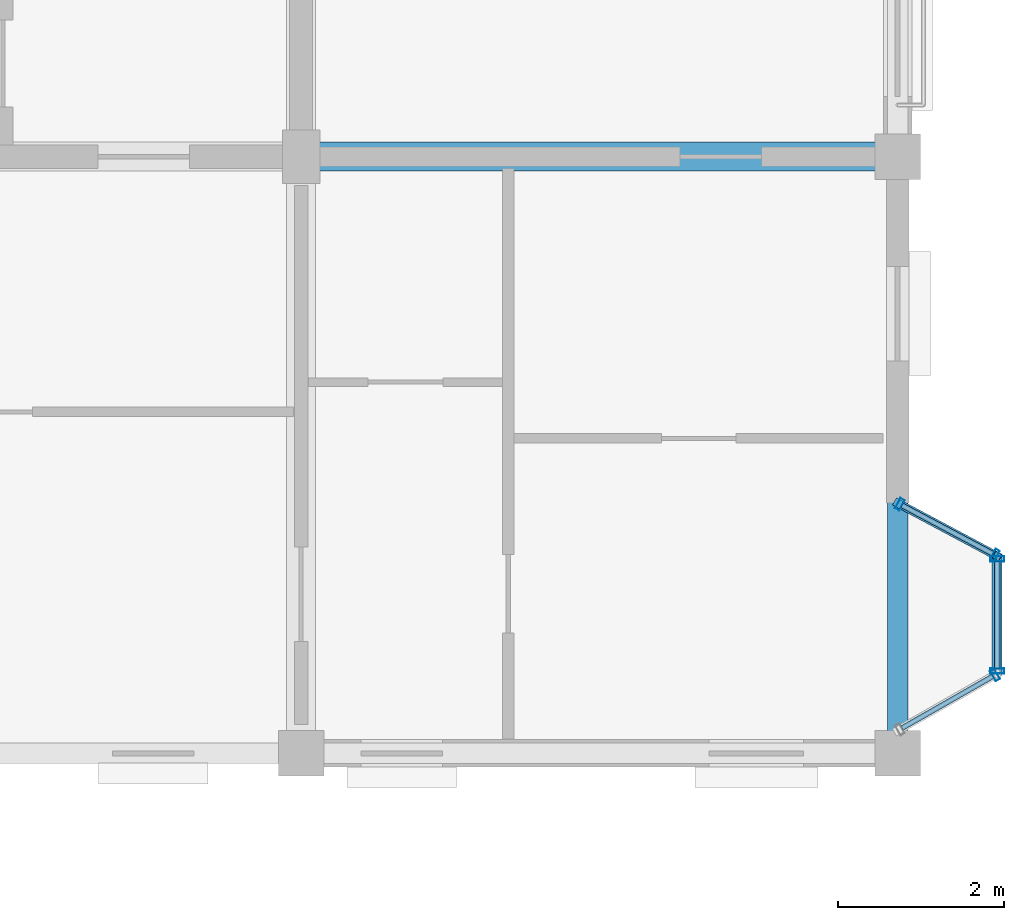
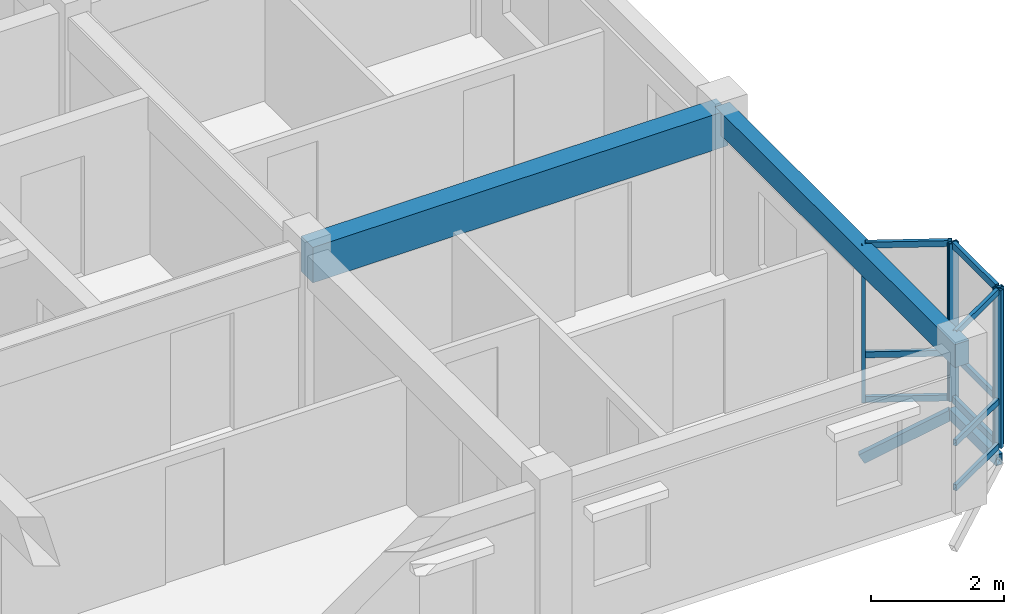
# One storey, part 25 of 79: 16 members, 2 beams, 3 elements without a shape of their own.
"""IFC4 building model written with IfcOpenShell, lengths in metres."""

from ifc_helpers import new_model, si_unit, direction, frame, origin, origin_2d, place, context, subcontext, project, spatial, rectangle, hollow_rectangle, extrude, material, layer, layer_set, material_profile, profile_set, type_object, element, aggregate, save


model = new_model("IFC4")

# Units and contexts
model_context = context("Model", 3, precision=1e-05, world=origin(), true_north=direction((0.0, 1.0)))
body_context = subcontext(model_context, "Body", "Model", "MODEL_VIEW")
ifc_project = project(units=[si_unit("LENGTHUNIT", "METRE"), si_unit("AREAUNIT", "SQUARE_METRE"), si_unit("VOLUMEUNIT", "CUBIC_METRE"), si_unit("PLANEANGLEUNIT", "RADIAN"), si_unit("MASSUNIT", "GRAM", prefix="KILO"), si_unit("THERMODYNAMICTEMPERATUREUNIT", "KELVIN"), si_unit("POWERUNIT", "WATT")], contexts=[model_context])

# Site, building, storey
site_placement = place(None, origin())
site = spatial("IfcSite", under=ifc_project, at=site_placement, CompositionType="ELEMENT")
building_placement = place(site_placement, origin())
building = spatial("IfcBuilding", under=site, at=building_placement, Name="Tavuni Mirador Residences", CompositionType="ELEMENT")
storey_placement = place(building_placement, frame((0.0, 0.0, 13.949951171875)))
storey = spatial("IfcBuildingStorey", under=building, at=storey_placement, Name="L04", CompositionType="ELEMENT", Elevation=13.949951171875)

# Beams
ifc_material_1 = material(Name="Precast concrete C40/50", Category="concrete")
ifc_material_profile_1 = material_profile(ifc_material_1, rectangle(XDim=0.35009765625, YDim=0.64990234375, at=origin_2d()), Name="PC 350x650", Category="concrete")
ifc_profile_set_1 = profile_set([ifc_material_profile_1], Name="Precast concrete C40/50")
beam_type_1 = type_object("IfcBeamType", Name="BT-B650", PredefinedType="BEAM", material=ifc_profile_set_1)
beam_1_placement = place(storey_placement, frame((111.60009765625, 93.60009765625, 2.56494140625), z_axis=(1.0, 0.0, 0.0), x_axis=(0.0, 1.0, 0.0)))
element("IfcBeam", 1, at=beam_1_placement, inside=storey, type_object=beam_type_1, Name="BMX-BLK-D-L04-03-01", PredefinedType="BEAM", context=body_context, shape_type="SweptSolid", body=[
    extrude(rectangle(XDim=0.35009765625, YDim=0.64990234375, at=origin_2d()), origin(), (0.0, 0.0, 1.0), 7.199951171875),
])
ifc_material_profile_2 = material_profile(ifc_material_1, rectangle(XDim=0.25, YDim=0.419921875, at=origin_2d()), Name="PC 250x420", Category="concrete")
ifc_profile_set_2 = profile_set([ifc_material_profile_2], Name="Precast concrete C40/50")
beam_type_2 = type_object("IfcBeamType", Name="BT-SP420", PredefinedType="SPANDREL", material=ifc_profile_set_2)
beam_2_placement = place(storey_placement, frame((118.800048828125, 86.39990234375, 2.679931640625), z_axis=(0.0, 1.0, 0.0), x_axis=(-1.0, 0.0, 0.0)))
element("IfcBeam", 2, at=beam_2_placement, inside=storey, type_object=beam_type_2, Name="BMY-BLK-D-L04-04-00", PredefinedType="SPANDREL", context=body_context, shape_type="SweptSolid", body=[
    extrude(rectangle(XDim=0.25, YDim=0.419921875, at=origin_2d()), origin(), (0.0, 0.0, 1.0), 7.2001953125),
])

# Curtain wall, member
ifc_material_2 = material(Name="Anodised aluminium", Category="aluminium")
ifc_layer_1 = layer(ifc_material_2, 0.175048828125, Name="Anodised aluminium", Category="aluminium")
ifc_layer_set_1 = layer_set([ifc_layer_1], Name="Anodised aluminium")
curtain_wall_type_1 = type_object("IfcCurtainWallType", Name="CWT-MIR-C", PredefinedType="NOTDEFINED", material=ifc_layer_set_1)
curtain_wall_1_placement = place(storey_placement, origin())
curtain_wall_1 = element("IfcCurtainWall", 3, at=curtain_wall_1_placement, inside=storey, type_object=curtain_wall_type_1, Name="CW-MIR-D-E1-L04-M1", PredefinedType="NOTDEFINED")
ifc_material_profile_3 = material_profile(ifc_material_2, hollow_rectangle(XDim=0.06005859375, YDim=0.139892578125, WallThickness=0.00390625, at=origin_2d()), Name="ALU 60x140x4.0", Category="aluminium")
ifc_profile_set_3 = profile_set([ifc_material_profile_3], Name="Anodised aluminium")
member_type_1 = type_object("IfcMemberType", Name="CWM-140", PredefinedType="MULLION", material=ifc_profile_set_3)
member_1_placement = place(storey_placement, frame((119.973876953125, 87.34521484375, 0.0), z_axis=(0.0, 0.0, 1.0), x_axis=(0.868465738194, 0.495749192217, 0.0)))
member_1 = element("IfcMember", 4, at=member_1_placement, type_object=member_type_1, Name="CW-03 mullion 2", PredefinedType="MULLION", context=body_context, shape_type="SweptSolid", body=[
    extrude(hollow_rectangle(XDim=0.06005859375, YDim=0.139892578125, WallThickness=0.00390625, at=origin_2d()), origin(), (0.0, 0.0, 1.0), 2.89013671875),
])

# Curtain wall, members
ifc_layer_2 = layer(ifc_material_2, 0.1650390625, Name="Anodised aluminium", Category="aluminium")
ifc_layer_set_2 = layer_set([ifc_layer_2], Name="Anodised aluminium")
curtain_wall_type_2 = type_object("IfcCurtainWallType", Name="CWT-MIR-A", PredefinedType="NOTDEFINED", material=ifc_layer_set_2)
curtain_wall_2_placement = place(storey_placement, origin())
curtain_wall_2 = element("IfcCurtainWall", 5, at=curtain_wall_2_placement, inside=storey, type_object=curtain_wall_type_2, Name="CW-MIR-D-E1-L04-M2", PredefinedType="NOTDEFINED")
member_2_placement = place(storey_placement, frame((119.9736328125, 88.794189453125, 0.0), z_axis=(0.0, 0.0, 1.0), x_axis=(-0.882352941175, 0.470588235296, 0.0)))
member_2 = element("IfcMember", 6, at=member_2_placement, type_object=member_type_1, Name="CW-01 mullion 1", PredefinedType="MULLION", context=body_context, shape_type="SweptSolid", body=[
    extrude(hollow_rectangle(XDim=0.06005859375, YDim=0.139892578125, WallThickness=0.00390625, at=origin_2d()), origin(), (0.0, 0.0, 1.0), 2.89013671875),
])
member_3_placement = place(storey_placement, frame((118.826416015625, 89.40576171875, 0.0), z_axis=(0.0, 0.0, 1.0), x_axis=(-0.882352941175, 0.470588235296, 0.0)))
member_3 = element("IfcMember", 7, at=member_3_placement, type_object=member_type_1, Name="CW-01 mullion 2", PredefinedType="MULLION", context=body_context, shape_type="SweptSolid", body=[
    extrude(hollow_rectangle(XDim=0.06005859375, YDim=0.139892578125, WallThickness=0.00390625, at=origin_2d()), origin(), (0.0, 0.0, 1.0), 2.89013671875),
])

ifc_layer_3 = layer(ifc_material_2, 0.159912109375, Name="Anodised aluminium", Category="aluminium")
ifc_layer_set_3 = layer_set([ifc_layer_3], Name="Anodised aluminium")
curtain_wall_type_3 = type_object("IfcCurtainWallType", Name="CWT-MIR-D", PredefinedType="NOTDEFINED", material=ifc_layer_set_3)
curtain_wall_3_placement = place(storey_placement, origin())
curtain_wall_3 = element("IfcCurtainWall", 8, at=curtain_wall_3_placement, inside=storey, type_object=curtain_wall_type_3, Name="CW-MIR-D-E1-L04-MF", PredefinedType="NOTDEFINED")
ifc_material_profile_4 = material_profile(ifc_material_2, hollow_rectangle(XDim=0.06494140625, YDim=0.1650390625, WallThickness=0.00439453125, at=origin_2d()), Name="ALU 65x165x4.5", Category="aluminium")
ifc_profile_set_4 = profile_set([ifc_material_profile_4], Name="Anodised aluminium")
member_type_2 = type_object("IfcMemberType", Name="CWM-165", PredefinedType="MULLION", material=ifc_profile_set_4)
member_4_placement = place(storey_placement, frame((120.0, 87.392578125, 0.0), z_axis=(0.0, 0.0, 1.0), x_axis=(0.0, 1.0, 0.0)))
member_4 = element("IfcMember", 9, at=member_4_placement, type_object=member_type_2, Name="CW-04 mullion 1", PredefinedType="MULLION", context=body_context, shape_type="SweptSolid", body=[
    extrude(hollow_rectangle(XDim=0.06494140625, YDim=0.1650390625, WallThickness=0.00439453125, at=origin_2d()), origin(), (0.0, 0.0, 1.0), 2.89013671875),
])
member_5_placement = place(storey_placement, frame((120.0, 88.74755859375, 0.0), z_axis=(0.0, 0.0, 1.0), x_axis=(0.0, 1.0, 0.0)))
member_5 = element("IfcMember", 10, at=member_5_placement, type_object=member_type_2, Name="CW-04 mullion 2", PredefinedType="MULLION", context=body_context, shape_type="SweptSolid", body=[
    extrude(hollow_rectangle(XDim=0.06494140625, YDim=0.1650390625, WallThickness=0.00439453125, at=origin_2d()), origin(), (0.0, 0.0, 1.0), 2.89013671875),
])

# Member
ifc_material_profile_5 = material_profile(ifc_material_2, hollow_rectangle(XDim=0.06005859375, YDim=0.110107421875, WallThickness=0.00390625, at=origin_2d()), Name="ALU 60x110x4.0", Category="aluminium")
ifc_profile_set_5 = profile_set([ifc_material_profile_5], Name="Anodised aluminium")
member_type_3 = type_object("IfcMemberType", Name="CWT-110", PredefinedType="USERDEFINED", material=ifc_profile_set_5)
member_6_placement = place(storey_placement, frame((118.85205078125, 86.704833984375, 0.030029296875), z_axis=(0.868504955205, 0.49568048457, 0.0), x_axis=(-0.49568048457, 0.868504955205, 0.0)))
member_6 = element("IfcMember", 11, at=member_6_placement, type_object=member_type_3, Name="CW-03 transom 1.1", ObjectType="TRANSOM", PredefinedType="USERDEFINED", context=body_context, shape_type="SweptSolid", body=[
    extrude(hollow_rectangle(XDim=0.06005859375, YDim=0.110107421875, WallThickness=0.00390625, at=origin_2d()), origin(), (0.0, 0.0, 1.0), 1.261962890625),
])

member_7_placement = place(storey_placement, frame((118.85205078125, 86.704833984375, 0.85009765625), z_axis=(0.868504955205, 0.49568048457, 0.0), x_axis=(-0.49568048457, 0.868504955205, 0.0)))
member_7 = element("IfcMember", 12, at=member_7_placement, type_object=member_type_3, Name="CW-03 transom 1.2", ObjectType="TRANSOM", PredefinedType="USERDEFINED", context=body_context, shape_type="SweptSolid", body=[
    extrude(hollow_rectangle(XDim=0.06005859375, YDim=0.110107421875, WallThickness=0.00390625, at=origin_2d()), origin(), (0.0, 0.0, 1.0), 1.261962890625),
])

member_8_placement = place(storey_placement, frame((118.85205078125, 86.704833984375, 2.860107421875), z_axis=(0.868504955205, 0.49568048457, 0.0), x_axis=(-0.49568048457, 0.868504955205, 0.0)))
member_8 = element("IfcMember", 13, at=member_8_placement, type_object=member_type_3, Name="CW-03 transom 1.3", ObjectType="TRANSOM", PredefinedType="USERDEFINED", context=body_context, shape_type="SweptSolid", body=[
    extrude(hollow_rectangle(XDim=0.06005859375, YDim=0.110107421875, WallThickness=0.00390625, at=origin_2d()), origin(), (0.0, 0.0, 1.0), 1.261962890625),
])

aggregate(curtain_wall_1, [member_1, member_6, member_7, member_8])

member_9_placement = place(storey_placement, frame((119.947021484375, 88.808349609375, 0.030029296875), z_axis=(-0.882342039492, 0.470608675382, 0.0), x_axis=(-0.470608675382, -0.882342039492, 0.0)))
member_9 = element("IfcMember", 14, at=member_9_placement, type_object=member_type_3, Name="CW-01 transom 1.1", ObjectType="TRANSOM", PredefinedType="USERDEFINED", context=body_context, shape_type="SweptSolid", body=[
    extrude(hollow_rectangle(XDim=0.06005859375, YDim=0.110107421875, WallThickness=0.00390625, at=origin_2d()), origin(), (0.0, 0.0, 1.0), 1.239990234375),
])

member_10_placement = place(storey_placement, frame((119.947021484375, 88.808349609375, 0.85009765625), z_axis=(-0.882342039492, 0.470608675382, 0.0), x_axis=(-0.470608675382, -0.882342039492, 0.0)))
member_10 = element("IfcMember", 15, at=member_10_placement, type_object=member_type_3, Name="CW-01 transom 1.2", ObjectType="TRANSOM", PredefinedType="USERDEFINED", context=body_context, shape_type="SweptSolid", body=[
    extrude(hollow_rectangle(XDim=0.06005859375, YDim=0.110107421875, WallThickness=0.00390625, at=origin_2d()), origin(), (0.0, 0.0, 1.0), 1.239990234375),
])

member_11_placement = place(storey_placement, frame((119.947021484375, 88.808349609375, 2.860107421875), z_axis=(-0.882342039492, 0.470608675382, 0.0), x_axis=(-0.470608675382, -0.882342039492, 0.0)))
member_11 = element("IfcMember", 16, at=member_11_placement, type_object=member_type_3, Name="CW-01 transom 1.3", ObjectType="TRANSOM", PredefinedType="USERDEFINED", context=body_context, shape_type="SweptSolid", body=[
    extrude(hollow_rectangle(XDim=0.06005859375, YDim=0.110107421875, WallThickness=0.00390625, at=origin_2d()), origin(), (0.0, 0.0, 1.0), 1.239990234375),
])

aggregate(curtain_wall_2, [member_2, member_3, member_9, member_10, member_11])

ifc_material_profile_6 = material_profile(ifc_material_2, hollow_rectangle(XDim=0.06494140625, YDim=0.125, WallThickness=0.00439453125, at=origin_2d()), Name="ALU 65x125x4.5", Category="aluminium")
ifc_profile_set_6 = profile_set([ifc_material_profile_6], Name="Anodised aluminium")
member_type_4 = type_object("IfcMemberType", Name="CWT-125", PredefinedType="USERDEFINED", material=ifc_profile_set_6)
member_12_placement = place(storey_placement, frame((120.0, 87.425048828125, 0.032470703125), z_axis=(0.0, 1.0, 0.0), x_axis=(-1.0, 0.0, 0.0)))
member_12 = element("IfcMember", 17, at=member_12_placement, type_object=member_type_4, Name="CW-04 transom 1.1", ObjectType="TRANSOM", PredefinedType="USERDEFINED", context=body_context, shape_type="SweptSolid", body=[
    extrude(hollow_rectangle(XDim=0.06494140625, YDim=0.125, WallThickness=0.00439453125, at=origin_2d()), origin(), (0.0, 0.0, 1.0), 1.2900390625),
])

member_13_placement = place(storey_placement, frame((120.0, 87.425048828125, 0.85009765625), z_axis=(0.0, 1.0, 0.0), x_axis=(-1.0, 0.0, 0.0)))
member_13 = element("IfcMember", 18, at=member_13_placement, type_object=member_type_4, Name="CW-04 transom 1.2", ObjectType="TRANSOM", PredefinedType="USERDEFINED", context=body_context, shape_type="SweptSolid", body=[
    extrude(hollow_rectangle(XDim=0.06494140625, YDim=0.125, WallThickness=0.00439453125, at=origin_2d()), origin(), (0.0, 0.0, 1.0), 1.2900390625),
])

member_14_placement = place(storey_placement, frame((120.0, 87.425048828125, 2.857666015625), z_axis=(0.0, 1.0, 0.0), x_axis=(-1.0, 0.0, 0.0)))
member_14 = element("IfcMember", 19, at=member_14_placement, type_object=member_type_4, Name="CW-04 transom 1.3", ObjectType="TRANSOM", PredefinedType="USERDEFINED", context=body_context, shape_type="SweptSolid", body=[
    extrude(hollow_rectangle(XDim=0.06494140625, YDim=0.125, WallThickness=0.00439453125, at=origin_2d()), origin(), (0.0, 0.0, 1.0), 1.2900390625),
])

aggregate(curtain_wall_3, [member_4, member_5, member_12, member_13, member_14])

# Members
ifc_material_3 = material(Name="Structural steel S355", Category="steel")
ifc_material_profile_7 = material_profile(ifc_material_3, hollow_rectangle(XDim=0.10009765625, YDim=0.179931640625, WallThickness=0.008056640625, at=origin_2d()), Name="RHS 180x100x8.0", Category="steel")
ifc_profile_set_7 = profile_set([ifc_material_profile_7], Name="Structural steel S355")
member_type_5 = type_object("IfcMemberType", Name="MT-BR-RHS180", PredefinedType="BRACE", material=ifc_profile_set_7)
member_15_placement = place(storey_placement, frame((118.800048828125, 89.419921875, -1.050048828125), z_axis=(0.762969185555, -0.406865154698, 0.502333323389), x_axis=(0.47054164445, 0.882377788047, 0.0)))
element("IfcMember", 20, at=member_15_placement, inside=storey, type_object=member_type_5, Name="MBRK-MIR-D-E1-L04-2", PredefinedType="BRACE", context=body_context, shape_type="SweptSolid", body=[
    extrude(hollow_rectangle(XDim=0.10009765625, YDim=0.179931640625, WallThickness=0.008056640625, at=origin_2d()), origin(), (0.0, 0.0, 1.0), 1.57275390625),
])
ifc_material_profile_8 = material_profile(ifc_material_3, hollow_rectangle(XDim=0.1201171875, YDim=0.199951171875, WallThickness=0.010009765625, at=origin_2d()), Name="RHS 200x120x10.0", Category="steel")
ifc_profile_set_8 = profile_set([ifc_material_profile_8], Name="Structural steel S355")
member_type_6 = type_object("IfcMemberType", Name="MT-ST-RHS200", PredefinedType="STRUT", material=ifc_profile_set_8)
member_16_placement = place(storey_placement, frame((120.0, 87.360107421875, -0.260009765625), z_axis=(0.0, 1.0, 0.0), x_axis=(-1.0, 0.0, 0.0)))
element("IfcMember", 21, at=member_16_placement, inside=storey, type_object=member_type_6, Name="MRIM-MIR-D-E1-L04", PredefinedType="STRUT", context=body_context, shape_type="SweptSolid", body=[
    extrude(hollow_rectangle(XDim=0.1201171875, YDim=0.199951171875, WallThickness=0.010009765625, at=origin_2d()), origin(), (0.0, 0.0, 1.0), 1.419921875),
])

save(model, "model.ifc")
